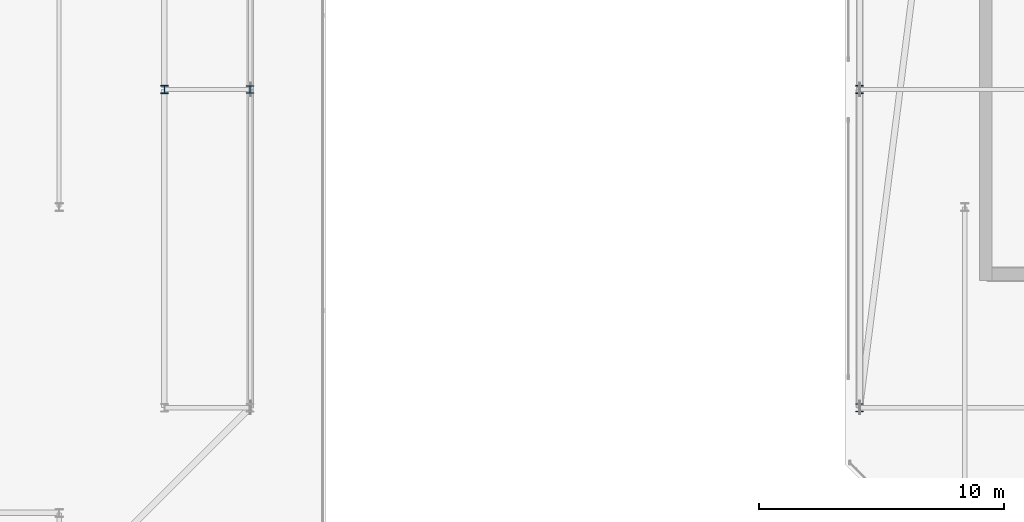
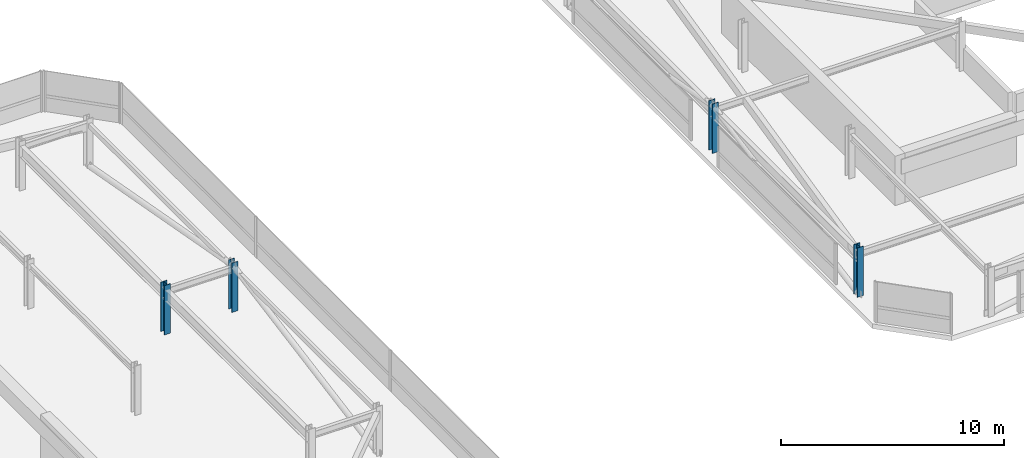
# One storey, part 2 of 42: 4 columns.
"""IFC4 building model written with IfcOpenShell, lengths in metres."""

from ifc_helpers import new_model, si_unit, direction, frame, origin, origin_2d, place, context, subcontext, project, spatial, i_section, extrude, material, material_profile, profile_set, type_object, element, save


model = new_model("IFC4")

# Units and contexts
model_context = context("Model", 3, precision=1e-05, world=origin(), true_north=direction((0.0, 1.0)))
body_context = subcontext(model_context, "Body", "Model", "MODEL_VIEW")
ifc_project = project(units=[si_unit("LENGTHUNIT", "METRE"), si_unit("AREAUNIT", "SQUARE_METRE"), si_unit("VOLUMEUNIT", "CUBIC_METRE"), si_unit("PLANEANGLEUNIT", "RADIAN"), si_unit("MASSUNIT", "GRAM", prefix="KILO")], contexts=[model_context])

# Site, building, storey
site_placement = place(None, origin())
site = spatial("IfcSite", under=ifc_project, at=site_placement, CompositionType="ELEMENT")
building_placement = place(site_placement, origin())
building = spatial("IfcBuilding", under=site, at=building_placement, Name="Thornwick Lancets Civic Towers", CompositionType="ELEMENT")
storey_placement = place(building_placement, frame((0.0, 0.0, 286.800048828125)))
storey = spatial("IfcBuildingStorey", under=building, at=storey_placement, Name="C03", CompositionType="ELEMENT", Elevation=286.800048828125)

# Columns
ifc_material = material(Name="Steel S355JR", Category="steel")
ifc_material_profile_1 = material_profile(ifc_material, i_section(OverallWidth=0.30908203125, OverallDepth=0.320556640625, WebThickness=0.013916015625, FlangeThickness=0.021728515625, FilletRadius=0.01513671875, at=origin_2d()), Name="UKC 305x305x137")
ifc_profile_set_1 = profile_set([ifc_material_profile_1], Name="Steel S355JR")
column_type_1 = type_object("IfcColumnType", Name="COL_UKC_137", PredefinedType="COLUMN", material=ifc_profile_set_1)
column_placement = place(storey_placement, frame((46.300048828125, 27.0, 0.0), z_axis=(0.0, 0.0, 1.0), x_axis=(1.0, 0.0, 0.0)))
element("IfcColumn", 1, at=column_placement, inside=storey, type_object=column_type_1, Name="C03 Block Perimeter Column A05", PredefinedType="COLUMN", context=body_context, shape_type="SweptSolid", body=[
    extrude(i_section(OverallWidth=0.30908203125, OverallDepth=0.320556640625, WebThickness=0.013916015625, FlangeThickness=0.021728515625, FilletRadius=0.01513671875, at=origin_2d()), origin(), (0.0, 0.0, 1.0), 2.699951171875),
])
ifc_material_profile_2 = material_profile(ifc_material, i_section(OverallWidth=0.314453125, OverallDepth=0.33984375, WebThickness=0.01904296875, FlangeThickness=0.031494140625, FilletRadius=0.01513671875, at=origin_2d()), Name="UKC 305x305x198")
ifc_profile_set_2 = profile_set([ifc_material_profile_2], Name="Steel S355JR")
column_type_2 = type_object("IfcColumnType", Name="COL_UKC_198", PredefinedType="COLUMN", material=ifc_profile_set_2)
for number, where, z_axis, x_axis, name in (
    (2, (42.800048828125, 27.0, 0.0), (0.0, 0.0, 1.0), (1.0, 0.0, 0.0), "C03 Spine Mega-Column A05"),
    (3, (71.199951171875, 14.0, 0.0), (0.0, 0.0, 1.0), (1.0, 0.0, 0.0), "C03 Spine Mega-Column B07"),
    (4, (71.199951171875, 27.0, 0.0), (0.0, 0.0, 1.0), (1.0, 0.0, 0.0), "C03 Spine Mega-Column B08"),
):
    element("IfcColumn", number, at=place(storey_placement, frame(where, z_axis=z_axis, x_axis=x_axis)), inside=storey, type_object=column_type_2, Name=name, PredefinedType="COLUMN", context=body_context, shape_type="SweptSolid", body=[
        extrude(i_section(OverallWidth=0.314453125, OverallDepth=0.33984375, WebThickness=0.01904296875, FlangeThickness=0.031494140625, FilletRadius=0.01513671875, at=origin_2d()), origin(), (0.0, 0.0, 1.0), 2.699951171875),
    ])

save(model, "model.ifc")
